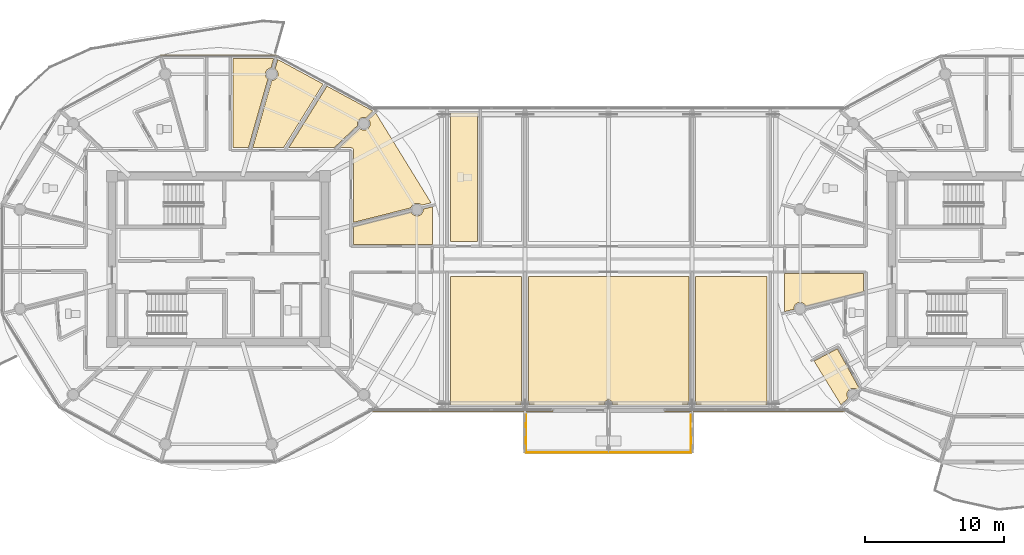
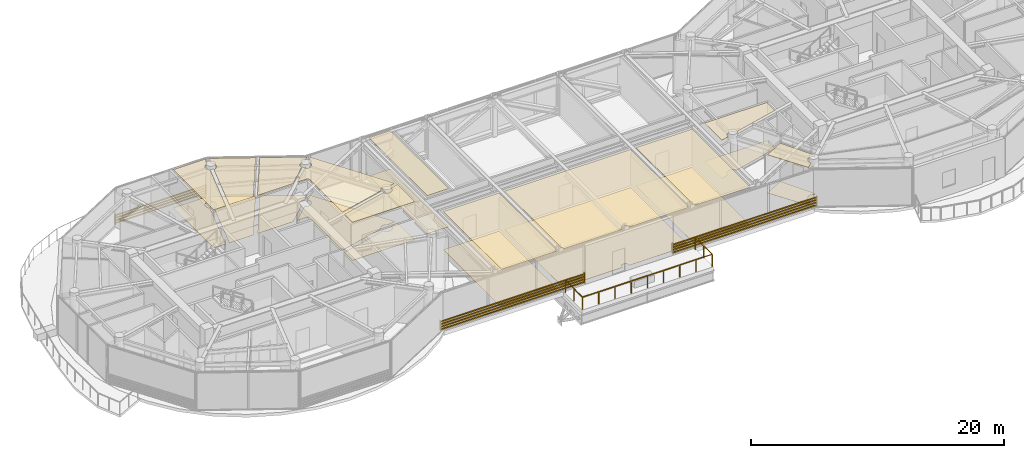
# One storey, part 25 of 31: 22 coverings, 3 shading devices, 2 railings.
"""IFC4 building model written with IfcOpenShell, lengths in metres."""

from ifc_helpers import new_model, si_unit, direction, frame, origin, origin_2d, place, context, subcontext, project, spatial, polyline, rectangle, outline, extrude, source, transform, mapped, material, layer, layer_set, type_object, type_shapes, element, save


model = new_model("IFC4")

# Units and contexts
model_context = context("Model", 3, precision=1e-05, world=origin(), true_north=direction((0.0, 1.0)))
body_context = subcontext(model_context, "Body", "Model", "MODEL_VIEW")
ifc_project = project(units=[si_unit("LENGTHUNIT", "METRE"), si_unit("AREAUNIT", "SQUARE_METRE"), si_unit("VOLUMEUNIT", "CUBIC_METRE"), si_unit("PLANEANGLEUNIT", "RADIAN"), si_unit("MASSUNIT", "GRAM", prefix="KILO")], contexts=[model_context])

# Site, building, storey
site_placement = place(None, origin())
site = spatial("IfcSite", under=ifc_project, at=site_placement, CompositionType="ELEMENT")
building_placement = place(site_placement, origin())
building = spatial("IfcBuilding", under=site, at=building_placement, Name="Norrkilde Senior Care Towers", CompositionType="ELEMENT")
storey_placement = place(building_placement, frame((0.0, 0.0, 199.800048828125)))
storey = spatial("IfcBuildingStorey", under=building, at=storey_placement, Name="L62", CompositionType="ELEMENT", Elevation=199.800048828125)

# Coverings
ifc_material_1 = material(Name="Nordic Ash Timber", Category="wood")
ifc_layer_1 = layer(ifc_material_1, 0.044921875)
ifc_layer_set_1 = layer_set([ifc_layer_1], Name="Nordic Ash Timber")
covering_type_1 = type_object("IfcCoveringType", Name="Acoustic Ash Timber Slatted Ceiling 45", PredefinedType="CEILING", material=ifc_layer_set_1)
covering_1_placement = place(storey_placement, frame((0.0, 0.0, 3.6650390625)))
element("IfcCovering", 1, at=covering_1_placement, inside=storey, type_object=covering_type_1, Name="L62 Suspended Ceiling 0377", PredefinedType="CEILING", context=body_context, shape_type="SweptSolid", body=[
    extrude(outline(polyline([(-24.03759765625, 14.407470703125), (-24.229736328125, 13.730224609375), (-24.30029296875, 13.720947265625), (-24.409912109375, 13.675537109375), (-24.504150390625, 13.603271484375), (-24.576416015625, 13.509033203125), (-24.621826171875, 13.399169921875), (-24.637451171875, 13.281494140625), (-24.621826171875, 13.163818359375), (-24.576416015625, 13.053955078125), (-24.504150390625, 12.959716796875), (-24.458251953125, 12.924560546875), (-25.855224609375, 8.0), (-26.9599609375, 8.0), (-26.9599609375, 14.407470703125), (-24.03759765625, 14.407470703125)])), origin(), (0.0, 0.0, 1.0), 0.044921875),
])
covering_2_placement = place(storey_placement, frame((0.0, 0.0, 3.6650390625)))
element("IfcCovering", 2, at=covering_2_placement, inside=storey, type_object=covering_type_1, Name="L62 Suspended Ceiling 0379", PredefinedType="CEILING", context=body_context, shape_type="SweptSolid", body=[
    extrude(outline(polyline([(-12.62646484375, 1.0400390625), (-18.300048828125, 1.0400390625), (-18.300048828125, 2.331298828125), (-14.165771484375, 3.377685546875), (-14.146728515625, 3.331298828125), (-14.07421875, 3.237060546875), (-13.97998046875, 3.164794921875), (-13.870361328125, 3.119384765625), (-13.752685546875, 3.103759765625), (-13.634765625, 3.119384765625), (-13.525146484375, 3.164794921875), (-13.430908203125, 3.237060546875), (-13.358642578125, 3.331298828125), (-13.31298828125, 3.44091796875), (-13.297607421875, 3.558837890625), (-13.302490234375, 3.59619140625), (-12.62646484375, 3.76708984375), (-12.62646484375, 1.0400390625)])), origin(), (0.0, 0.0, 1.0), 0.044921875),
])
covering_3_placement = place(storey_placement, frame((0.0, 0.0, 3.6650390625)))
element("IfcCovering", 3, at=covering_3_placement, inside=storey, type_object=covering_type_1, Name="L62 Suspended Ceiling 0380", PredefinedType="CEILING", context=body_context, shape_type="SweptSolid", body=[
    extrude(outline(polyline([(-18.302734375, 7.833251953125), (-18.30517578125, 7.8447265625), (-18.30712890625, 7.852294921875), (-18.310546875, 7.86376953125), (-18.31298828125, 7.87109375), (-18.317626953125, 7.8818359375), (-18.321044921875, 7.888916015625), (-18.326416015625, 7.8994140625), (-18.33056640625, 7.90625), (-18.337158203125, 7.916015625), (-18.341796875, 7.92236328125), (-18.34912109375, 7.931396484375), (-18.3544921875, 7.937255859375), (-18.36279296875, 7.945556640625), (-18.36865234375, 7.95068359375), (-18.377685546875, 7.958251953125), (-18.384033203125, 7.962890625), (-18.393798828125, 7.969482421875), (-18.400634765625, 7.973388671875), (-18.410888671875, 7.97900390625), (-18.41796875, 7.982421875), (-18.428955078125, 7.98681640625), (-18.436279296875, 7.989501953125), (-18.447509765625, 7.992919921875), (-18.455322265625, 7.994873046875), (-18.466796875, 7.9970703125), (-18.474609375, 7.998291015625), (-18.486328125, 7.99951171875), (-18.494140625, 7.999755859375), (-18.5, 8.0), (-19.355712890625, 8.0), (-17.88134765625, 9.392822265625), (-17.797607421875, 9.32861328125), (-17.68798828125, 9.283203125), (-17.570068359375, 9.267822265625), (-17.452392578125, 9.283203125), (-17.3427734375, 9.32861328125), (-17.24853515625, 9.40087890625), (-17.176025390625, 9.4951171875), (-17.130615234375, 9.60498046875), (-17.115234375, 9.72265625), (-17.130615234375, 9.840576171875), (-17.176025390625, 9.9501953125), (-17.224365234375, 10.01318359375), (-16.71337890625, 10.495849609375), (-12.74267578125, 4.04736328125), (-13.426025390625, 3.874267578125), (-13.430908203125, 3.880615234375), (-13.525146484375, 3.952880859375), (-13.634765625, 3.998291015625), (-13.752685546875, 4.013671875), (-13.870361328125, 3.998291015625), (-13.97998046875, 3.952880859375), (-14.07421875, 3.880615234375), (-14.146728515625, 3.786376953125), (-14.190185546875, 3.680908203125), (-18.300048828125, 2.640625), (-18.300048828125, 7.800048828125), (-18.300048828125, 7.805908203125), (-18.300537109375, 7.813720703125), (-18.3017578125, 7.825439453125), (-18.302734375, 7.833251953125)])), origin(), (0.0, 0.0, 1.0), 0.044921875),
])
covering_4_placement = place(storey_placement, frame((0.0, 0.0, 3.6650390625)))
element("IfcCovering", 4, at=covering_4_placement, inside=storey, type_object=covering_type_1, Name="L62 Suspended Ceiling 0395", PredefinedType="CEILING", context=body_context, shape_type="SweptSolid", body=[
    extrude(outline(polyline([(18.300048828125, -1.0400390625), (18.300048828125, -2.331298828125), (14.165771484375, -3.377685546875), (14.146728515625, -3.331298828125), (14.07421875, -3.237060546875), (13.97998046875, -3.164794921875), (13.870361328125, -3.119384765625), (13.752685546875, -3.103759765625), (13.634765625, -3.119384765625), (13.525146484375, -3.164794921875), (13.430908203125, -3.237060546875), (13.358642578125, -3.331298828125), (13.31298828125, -3.44091796875), (13.297607421875, -3.558837890625), (13.302490234375, -3.59619140625), (12.62646484375, -3.76708984375), (12.62646484375, -1.0400390625), (18.300048828125, -1.0400390625)])), origin(), (0.0, 0.0, 1.0), 0.044921875),
])
covering_5_placement = place(storey_placement, frame((0.0, 0.0, 3.6650390625)))
element("IfcCovering", 5, at=covering_5_placement, inside=storey, type_object=covering_type_1, Name="L62 Suspended Ceiling 0409", PredefinedType="CEILING", context=body_context, shape_type="SweptSolid", body=[
    extrude(outline(polyline([(17.86767578125, -9.38232421875), (17.797607421875, -9.32861328125), (17.68798828125, -9.283203125), (17.570068359375, -9.267822265625), (17.452392578125, -9.283203125), (17.3427734375, -9.32861328125), (17.24853515625, -9.40087890625), (17.176025390625, -9.4951171875), (17.130615234375, -9.60498046875), (17.115234375, -9.72265625), (17.130615234375, -9.840576171875), (17.176025390625, -9.9501953125), (17.202392578125, -9.984375), (16.68603515625, -10.45166015625), (14.753173828125, -7.3125), (16.42626953125, -6.435546875), (17.9921875, -9.26953125), (17.86767578125, -9.38232421875)])), origin(), (0.0, 0.0, 1.0), 0.044921875),
])
covering_6_placement = place(storey_placement, frame((0.0, 0.0, 3.6650390625)))
element("IfcCovering", 6, at=covering_6_placement, inside=storey, type_object=covering_type_1, Name="L62 Suspended Ceiling 0414", PredefinedType="CEILING", context=body_context, shape_type="SweptSolid", body=[
    extrude(outline(polyline([(-11.360107421875, -1.260009765625), (-6.239990234375, -1.260009765625), (-6.239990234375, -10.228271484375), (-6.257568359375, -10.251220703125), (-6.287353515625, -10.322998046875), (-6.297607421875, -10.39990234375), (-6.287353515625, -10.47705078125), (-6.2861328125, -10.47998046875), (-11.360107421875, -10.47998046875), (-11.360107421875, -1.260009765625)])), origin(), (0.0, 0.0, 1.0), 0.044921875),
])
covering_7_placement = place(storey_placement, frame((0.0, 0.0, 3.6650390625)))
element("IfcCovering", 7, at=covering_7_placement, inside=storey, type_object=covering_type_1, Name="L62 Suspended Ceiling 0419", PredefinedType="CEILING", context=body_context, shape_type="SweptSolid", body=[
    extrude(outline(polyline([(6.239990234375, -1.260009765625), (11.360107421875, -1.260009765625), (11.360107421875, -10.47998046875), (6.2861328125, -10.47998046875), (6.287353515625, -10.47705078125), (6.297607421875, -10.39990234375), (6.287353515625, -10.322998046875), (6.257568359375, -10.251220703125), (6.239990234375, -10.228271484375), (6.239990234375, -1.260009765625)])), origin(), (0.0, 0.0, 1.0), 0.044921875),
])
ifc_material_2 = material(Name="Gypsum Acoustic Board")
ifc_layer_2 = layer(ifc_material_2, 0.030029296875)
ifc_layer_set_2 = layer_set([ifc_layer_2], Name="Gypsum Acoustic Board")
covering_type_2 = type_object("IfcCoveringType", Name="Medical Cleanable Gypsum Ceiling 30", PredefinedType="CEILING", material=ifc_layer_set_2)
covering_8_placement = place(storey_placement, frame((0.0, 0.0, 3.679931640625)))
element("IfcCovering", 8, at=covering_8_placement, inside=storey, type_object=covering_type_2, Name="L62 Suspended Ceiling 0381", PredefinedType="CEILING", context=body_context, shape_type="SweptSolid", body=[
    extrude(outline(polyline([(-17.42724609375, 10.15185546875), (-17.452392578125, 10.162109375), (-17.570068359375, 10.177734375), (-17.68798828125, 10.162109375), (-17.797607421875, 10.11669921875), (-17.891845703125, 10.04443359375), (-17.964111328125, 9.9501953125), (-18.009765625, 9.840576171875), (-18.025146484375, 9.72265625), (-18.009765625, 9.60498046875), (-18.0087890625, 9.6025390625), (-19.705322265625, 8.0), (-22.959228515625, 8.0), (-20.212646484375, 12.4228515625), (-16.91357421875, 10.636962890625), (-17.42724609375, 10.15185546875)])), origin(), (0.0, 0.0, 1.0), 0.030029296875),
])
covering_9_placement = place(storey_placement, frame((0.0, 0.0, 3.679931640625)))
element("IfcCovering", 9, at=covering_9_placement, inside=storey, type_object=covering_type_2, Name="L62 Suspended Ceiling 0382", PredefinedType="CEILING", context=body_context, shape_type="SweptSolid", body=[
    extrude(outline(polyline([(-20.49462890625, 12.575439453125), (-23.3359375, 8.0), (-25.54345703125, 8.0), (-24.174072265625, 12.82763671875), (-24.064697265625, 12.842041015625), (-23.954833984375, 12.887451171875), (-23.860595703125, 12.959716796875), (-23.788330078125, 13.053955078125), (-23.742919921875, 13.163818359375), (-23.7275390625, 13.281494140625), (-23.742919921875, 13.399169921875), (-23.788330078125, 13.509033203125), (-23.860595703125, 13.603271484375), (-23.937255859375, 13.662109375), (-23.746337890625, 14.335693359375), (-20.49462890625, 12.575439453125)])), origin(), (0.0, 0.0, 1.0), 0.030029296875),
])
covering_10_placement = place(storey_placement, frame((0.0, 0.0, 3.679931640625)))
element("IfcCovering", 10, at=covering_10_placement, inside=storey, type_object=covering_type_2, Name="L62 Suspended Ceiling 0415", PredefinedType="CEILING", context=body_context, shape_type="SweptSolid", body=[
    extrude(outline(polyline([(-11.360107421875, 1.260009765625), (-11.360107421875, 10.47998046875), (-9.39990234375, 10.47998046875), (-9.39990234375, 1.260009765625), (-11.360107421875, 1.260009765625)])), origin(), (0.0, 0.0, 1.0), 0.030029296875),
])
covering_11_placement = place(storey_placement, frame((0.0, 0.0, 3.679931640625)))
element("IfcCovering", 11, at=covering_11_placement, inside=storey, type_object=covering_type_2, Name="L62 Suspended Ceiling 0417", PredefinedType="CEILING", context=body_context, shape_type="SweptSolid", body=[
    extrude(outline(polyline([(5.760009765625, -10.228271484375), (5.742431640625, -10.251220703125), (5.712646484375, -10.322998046875), (5.702392578125, -10.39990234375), (5.712646484375, -10.47705078125), (5.7138671875, -10.47998046875), (0.2861328125, -10.47998046875), (0.287353515625, -10.47705078125), (0.297607421875, -10.39990234375), (0.287353515625, -10.322998046875), (0.257568359375, -10.251220703125), (0.21044921875, -10.189697265625), (0.148681640625, -10.142333984375), (0.076904296875, -10.112548828125), (0.0, -10.1025390625), (-0.076904296875, -10.112548828125), (-0.148681640625, -10.142333984375), (-0.21044921875, -10.189697265625), (-0.257568359375, -10.251220703125), (-0.287353515625, -10.322998046875), (-0.297607421875, -10.39990234375), (-0.287353515625, -10.47705078125), (-0.2861328125, -10.47998046875), (-5.7138671875, -10.47998046875), (-5.712646484375, -10.47705078125), (-5.702392578125, -10.39990234375), (-5.712646484375, -10.322998046875), (-5.742431640625, -10.251220703125), (-5.760009765625, -10.228271484375), (-5.760009765625, -1.260009765625), (5.760009765625, -1.260009765625), (5.760009765625, -10.228271484375)])), origin(), (0.0, 0.0, 1.0), 0.030029296875),
])

# Railings
ifc_material_3 = material(Name="Stainless Steel", Category="steel")
railing_type = type_object("IfcRailingType", Name="Sky Pool Laminated Balustrade 1200", PredefinedType="BALUSTRADE", material=ifc_material_3)
railing_1_placement = place(storey_placement, frame((-5.919921875, -13.8701171875, 0.0)))
element("IfcRailing", 12, at=railing_1_placement, inside=storey, type_object=railing_type, Name="L62 Perimeter Safety Guard 03", PredefinedType="BALUSTRADE", context=body_context, shape_type="SweptSolid", body=[
    extrude(rectangle(XDim=0.048095703125, YDim=0.048095703125, at=origin_2d()), frame((0.0, 0.0, 1.17578125), z_axis=(0.0, 1.0, 0.0), x_axis=(-1.0, 0.0, 0.0)), (0.0, 0.0, 1.0), 2.690185546875),
    extrude(rectangle(XDim=0.0419921875, YDim=0.0419921875, at=origin_2d()), origin(), (0.0, 0.0, 1.0), 1.14990234375),
    extrude(rectangle(XDim=0.0419921875, YDim=0.0419921875, at=origin_2d()), frame((0.0, 1.34521484375, 0.0)), (0.0, 0.0, 1.0), 1.14990234375),
    extrude(rectangle(XDim=0.0419921875, YDim=0.0419921875, at=origin_2d()), frame((0.0, 2.690185546875, 0.0)), (0.0, 0.0, 1.0), 1.14990234375),
])
railing_2_placement = place(storey_placement, frame((5.919921875, -11.179931640625, 0.0)))
element("IfcRailing", 13, at=railing_2_placement, inside=storey, type_object=railing_type, Name="L62 Perimeter Safety Guard 04", PredefinedType="BALUSTRADE", context=body_context, shape_type="SweptSolid", body=[
    extrude(rectangle(XDim=0.048095703125, YDim=0.048095703125, at=origin_2d()), frame((0.0, 0.0, 1.17578125), z_axis=(0.0, -1.0, 0.0), x_axis=(1.0, 0.0, 0.0)), (0.0, 0.0, 1.0), 2.6494140625),
    extrude(rectangle(XDim=0.048095703125, YDim=0.048095703125, at=origin_2d()), frame((-0.040771484375, -2.690185546875, 1.17578125), z_axis=(-1.0, 0.0, 0.0), x_axis=(0.0, -1.0, 0.0)), (0.0, 0.0, 1.0), 11.799072265625),
    extrude(rectangle(XDim=0.0419921875, YDim=0.0419921875, at=origin_2d()), origin(), (0.0, 0.0, 1.0), 1.14990234375),
    extrude(rectangle(XDim=0.0419921875, YDim=0.0419921875, at=origin_2d()), frame((0.0, -1.34521484375, 0.0)), (0.0, 0.0, 1.0), 1.14990234375),
    extrude(rectangle(XDim=0.0419921875, YDim=0.0419921875, at=origin_2d()), frame((0.0, -2.690185546875, 0.0)), (0.0, 0.0, 1.0), 1.14990234375),
    extrude(rectangle(XDim=0.0419921875, YDim=0.0419921875, at=origin_2d()), frame((-1.47998046875, -2.690185546875, 0.0)), (0.0, 0.0, 1.0), 1.14990234375),
    extrude(rectangle(XDim=0.0419921875, YDim=0.0419921875, at=origin_2d()), frame((-2.9599609375, -2.690185546875, 0.0)), (0.0, 0.0, 1.0), 1.14990234375),
    extrude(rectangle(XDim=0.0419921875, YDim=0.0419921875, at=origin_2d()), frame((-4.43994140625, -2.690185546875, 0.0)), (0.0, 0.0, 1.0), 1.14990234375),
    extrude(rectangle(XDim=0.0419921875, YDim=0.0419921875, at=origin_2d()), frame((-5.919921875, -2.690185546875, 0.0)), (0.0, 0.0, 1.0), 1.14990234375),
    extrude(rectangle(XDim=0.0419921875, YDim=0.0419921875, at=origin_2d()), frame((-7.39990234375, -2.690185546875, 0.0)), (0.0, 0.0, 1.0), 1.14990234375),
    extrude(rectangle(XDim=0.0419921875, YDim=0.0419921875, at=origin_2d()), frame((-8.8798828125, -2.690185546875, 0.0)), (0.0, 0.0, 1.0), 1.14990234375),
    extrude(rectangle(XDim=0.0419921875, YDim=0.0419921875, at=origin_2d()), frame((-10.35986328125, -2.690185546875, 0.0)), (0.0, 0.0, 1.0), 1.14990234375),
    extrude(rectangle(XDim=0.0419921875, YDim=0.0419921875, at=origin_2d()), frame((-11.83984375, -2.690185546875, 0.0)), (0.0, 0.0, 1.0), 1.14990234375),
])

# Coverings
ifc_material_4 = material(Name="Slip-Resistant Porcelain Stone", Category="masonry")
ifc_layer_3 = layer(ifc_material_4, 0.02490234375)
ifc_layer_set_3 = layer_set([ifc_layer_3], Name="Slip-Resistant Porcelain Stone")
covering_type_3 = type_object("IfcCoveringType", Name="Slip-Resistant Porcelain Flooring 25", PredefinedType="FLOORING", material=ifc_layer_set_3)
covering_12_placement = place(storey_placement, origin())
element("IfcCovering", 14, at=covering_12_placement, inside=storey, type_object=covering_type_3, Name="L62 Floor Finish 0377", PredefinedType="FLOORING", context=body_context, shape_type="SweptSolid", body=[
    extrude(outline(polyline([(-24.03759765625, 14.407470703125), (-24.229736328125, 13.730224609375), (-24.30029296875, 13.720947265625), (-24.409912109375, 13.675537109375), (-24.504150390625, 13.603271484375), (-24.576416015625, 13.509033203125), (-24.621826171875, 13.399169921875), (-24.637451171875, 13.281494140625), (-24.621826171875, 13.163818359375), (-24.576416015625, 13.053955078125), (-24.504150390625, 12.959716796875), (-24.458251953125, 12.924560546875), (-25.855224609375, 8.0), (-26.9599609375, 8.0), (-26.9599609375, 14.407470703125), (-24.03759765625, 14.407470703125)])), origin(), (0.0, 0.0, 1.0), 0.02490234375),
])
covering_13_placement = place(storey_placement, origin())
element("IfcCovering", 15, at=covering_13_placement, inside=storey, type_object=covering_type_3, Name="L62 Floor Finish 0379", PredefinedType="FLOORING", context=body_context, shape_type="SweptSolid", body=[
    extrude(outline(polyline([(-12.62646484375, 1.0400390625), (-18.300048828125, 1.0400390625), (-18.300048828125, 2.331298828125), (-14.165771484375, 3.377685546875), (-14.146728515625, 3.331298828125), (-14.07421875, 3.237060546875), (-13.97998046875, 3.164794921875), (-13.870361328125, 3.119384765625), (-13.752685546875, 3.103759765625), (-13.634765625, 3.119384765625), (-13.525146484375, 3.164794921875), (-13.430908203125, 3.237060546875), (-13.358642578125, 3.331298828125), (-13.31298828125, 3.44091796875), (-13.297607421875, 3.558837890625), (-13.302490234375, 3.59619140625), (-12.62646484375, 3.76708984375), (-12.62646484375, 1.0400390625)])), origin(), (0.0, 0.0, 1.0), 0.02490234375),
])
covering_14_placement = place(storey_placement, origin())
element("IfcCovering", 16, at=covering_14_placement, inside=storey, type_object=covering_type_3, Name="L62 Floor Finish 0380", PredefinedType="FLOORING", context=body_context, shape_type="SweptSolid", body=[
    extrude(outline(polyline([(-18.302734375, 7.833251953125), (-18.30517578125, 7.8447265625), (-18.30712890625, 7.852294921875), (-18.310546875, 7.86376953125), (-18.31298828125, 7.87109375), (-18.317626953125, 7.8818359375), (-18.321044921875, 7.888916015625), (-18.326416015625, 7.8994140625), (-18.33056640625, 7.90625), (-18.337158203125, 7.916015625), (-18.341796875, 7.92236328125), (-18.34912109375, 7.931396484375), (-18.3544921875, 7.937255859375), (-18.36279296875, 7.945556640625), (-18.36865234375, 7.95068359375), (-18.377685546875, 7.958251953125), (-18.384033203125, 7.962890625), (-18.393798828125, 7.969482421875), (-18.400634765625, 7.973388671875), (-18.410888671875, 7.97900390625), (-18.41796875, 7.982421875), (-18.428955078125, 7.98681640625), (-18.436279296875, 7.989501953125), (-18.447509765625, 7.992919921875), (-18.455322265625, 7.994873046875), (-18.466796875, 7.9970703125), (-18.474609375, 7.998291015625), (-18.486328125, 7.99951171875), (-18.494140625, 7.999755859375), (-18.5, 8.0), (-19.355712890625, 8.0), (-17.88134765625, 9.392822265625), (-17.797607421875, 9.32861328125), (-17.68798828125, 9.283203125), (-17.570068359375, 9.267822265625), (-17.452392578125, 9.283203125), (-17.3427734375, 9.32861328125), (-17.24853515625, 9.40087890625), (-17.176025390625, 9.4951171875), (-17.130615234375, 9.60498046875), (-17.115234375, 9.72265625), (-17.130615234375, 9.840576171875), (-17.176025390625, 9.9501953125), (-17.224365234375, 10.01318359375), (-16.71337890625, 10.495849609375), (-12.74267578125, 4.04736328125), (-13.426025390625, 3.874267578125), (-13.430908203125, 3.880615234375), (-13.525146484375, 3.952880859375), (-13.634765625, 3.998291015625), (-13.752685546875, 4.013671875), (-13.870361328125, 3.998291015625), (-13.97998046875, 3.952880859375), (-14.07421875, 3.880615234375), (-14.146728515625, 3.786376953125), (-14.190185546875, 3.680908203125), (-18.300048828125, 2.640625), (-18.300048828125, 7.800048828125), (-18.300048828125, 7.805908203125), (-18.300537109375, 7.813720703125), (-18.3017578125, 7.825439453125), (-18.302734375, 7.833251953125)])), origin(), (0.0, 0.0, 1.0), 0.02490234375),
])
covering_15_placement = place(storey_placement, origin())
element("IfcCovering", 17, at=covering_15_placement, inside=storey, type_object=covering_type_3, Name="L62 Floor Finish 0381", PredefinedType="FLOORING", context=body_context, shape_type="SweptSolid", body=[
    extrude(outline(polyline([(-17.42724609375, 10.15185546875), (-17.452392578125, 10.162109375), (-17.570068359375, 10.177734375), (-17.68798828125, 10.162109375), (-17.797607421875, 10.11669921875), (-17.891845703125, 10.04443359375), (-17.964111328125, 9.9501953125), (-18.009765625, 9.840576171875), (-18.025146484375, 9.72265625), (-18.009765625, 9.60498046875), (-18.0087890625, 9.6025390625), (-19.705322265625, 8.0), (-22.959228515625, 8.0), (-20.212646484375, 12.4228515625), (-16.91357421875, 10.636962890625), (-17.42724609375, 10.15185546875)])), origin(), (0.0, 0.0, 1.0), 0.02490234375),
])
covering_16_placement = place(storey_placement, origin())
element("IfcCovering", 18, at=covering_16_placement, inside=storey, type_object=covering_type_3, Name="L62 Floor Finish 0382", PredefinedType="FLOORING", context=body_context, shape_type="SweptSolid", body=[
    extrude(outline(polyline([(-20.49462890625, 12.575439453125), (-23.3359375, 8.0), (-25.54345703125, 8.0), (-24.174072265625, 12.82763671875), (-24.064697265625, 12.842041015625), (-23.954833984375, 12.887451171875), (-23.860595703125, 12.959716796875), (-23.788330078125, 13.053955078125), (-23.742919921875, 13.163818359375), (-23.7275390625, 13.281494140625), (-23.742919921875, 13.399169921875), (-23.788330078125, 13.509033203125), (-23.860595703125, 13.603271484375), (-23.937255859375, 13.662109375), (-23.746337890625, 14.335693359375), (-20.49462890625, 12.575439453125)])), origin(), (0.0, 0.0, 1.0), 0.02490234375),
])
covering_17_placement = place(storey_placement, origin())
element("IfcCovering", 19, at=covering_17_placement, inside=storey, type_object=covering_type_3, Name="L62 Floor Finish 0395", PredefinedType="FLOORING", context=body_context, shape_type="SweptSolid", body=[
    extrude(outline(polyline([(18.300048828125, -1.0400390625), (18.300048828125, -2.331298828125), (14.165771484375, -3.377685546875), (14.146728515625, -3.331298828125), (14.07421875, -3.237060546875), (13.97998046875, -3.164794921875), (13.870361328125, -3.119384765625), (13.752685546875, -3.103759765625), (13.634765625, -3.119384765625), (13.525146484375, -3.164794921875), (13.430908203125, -3.237060546875), (13.358642578125, -3.331298828125), (13.31298828125, -3.44091796875), (13.297607421875, -3.558837890625), (13.302490234375, -3.59619140625), (12.62646484375, -3.76708984375), (12.62646484375, -1.0400390625), (18.300048828125, -1.0400390625)])), origin(), (0.0, 0.0, 1.0), 0.02490234375),
])
covering_18_placement = place(storey_placement, origin())
element("IfcCovering", 20, at=covering_18_placement, inside=storey, type_object=covering_type_3, Name="L62 Floor Finish 0409", PredefinedType="FLOORING", context=body_context, shape_type="SweptSolid", body=[
    extrude(outline(polyline([(17.86767578125, -9.38232421875), (17.797607421875, -9.32861328125), (17.68798828125, -9.283203125), (17.570068359375, -9.267822265625), (17.452392578125, -9.283203125), (17.3427734375, -9.32861328125), (17.24853515625, -9.40087890625), (17.176025390625, -9.4951171875), (17.130615234375, -9.60498046875), (17.115234375, -9.72265625), (17.130615234375, -9.840576171875), (17.176025390625, -9.9501953125), (17.202392578125, -9.984375), (16.68603515625, -10.45166015625), (14.753173828125, -7.3125), (16.42626953125, -6.435546875), (17.9921875, -9.26953125), (17.86767578125, -9.38232421875)])), origin(), (0.0, 0.0, 1.0), 0.02490234375),
])
covering_19_placement = place(storey_placement, origin())
element("IfcCovering", 21, at=covering_19_placement, inside=storey, type_object=covering_type_3, Name="L62 Floor Finish 0414", PredefinedType="FLOORING", context=body_context, shape_type="SweptSolid", body=[
    extrude(outline(polyline([(-11.360107421875, -1.260009765625), (-6.239990234375, -1.260009765625), (-6.239990234375, -10.228271484375), (-6.257568359375, -10.251220703125), (-6.287353515625, -10.322998046875), (-6.297607421875, -10.39990234375), (-6.287353515625, -10.47705078125), (-6.2861328125, -10.47998046875), (-11.360107421875, -10.47998046875), (-11.360107421875, -1.260009765625)])), origin(), (0.0, 0.0, 1.0), 0.02490234375),
])
covering_20_placement = place(storey_placement, origin())
element("IfcCovering", 22, at=covering_20_placement, inside=storey, type_object=covering_type_3, Name="L62 Floor Finish 0415", PredefinedType="FLOORING", context=body_context, shape_type="SweptSolid", body=[
    extrude(outline(polyline([(-11.360107421875, 1.260009765625), (-11.360107421875, 10.47998046875), (-9.39990234375, 10.47998046875), (-9.39990234375, 1.260009765625), (-11.360107421875, 1.260009765625)])), origin(), (0.0, 0.0, 1.0), 0.02490234375),
])
covering_21_placement = place(storey_placement, origin())
element("IfcCovering", 23, at=covering_21_placement, inside=storey, type_object=covering_type_3, Name="L62 Floor Finish 0417", PredefinedType="FLOORING", context=body_context, shape_type="SweptSolid", body=[
    extrude(outline(polyline([(5.760009765625, -10.228271484375), (5.742431640625, -10.251220703125), (5.712646484375, -10.322998046875), (5.702392578125, -10.39990234375), (5.712646484375, -10.47705078125), (5.7138671875, -10.47998046875), (0.2861328125, -10.47998046875), (0.287353515625, -10.47705078125), (0.297607421875, -10.39990234375), (0.287353515625, -10.322998046875), (0.257568359375, -10.251220703125), (0.21044921875, -10.189697265625), (0.148681640625, -10.142333984375), (0.076904296875, -10.112548828125), (0.0, -10.1025390625), (-0.076904296875, -10.112548828125), (-0.148681640625, -10.142333984375), (-0.21044921875, -10.189697265625), (-0.257568359375, -10.251220703125), (-0.287353515625, -10.322998046875), (-0.297607421875, -10.39990234375), (-0.287353515625, -10.47705078125), (-0.2861328125, -10.47998046875), (-5.7138671875, -10.47998046875), (-5.712646484375, -10.47705078125), (-5.702392578125, -10.39990234375), (-5.712646484375, -10.322998046875), (-5.742431640625, -10.251220703125), (-5.760009765625, -10.228271484375), (-5.760009765625, -1.260009765625), (5.760009765625, -1.260009765625), (5.760009765625, -10.228271484375)])), origin(), (0.0, 0.0, 1.0), 0.02490234375),
])
covering_22_placement = place(storey_placement, origin())
element("IfcCovering", 24, at=covering_22_placement, inside=storey, type_object=covering_type_3, Name="L62 Floor Finish 0419", PredefinedType="FLOORING", context=body_context, shape_type="SweptSolid", body=[
    extrude(outline(polyline([(6.239990234375, -1.260009765625), (11.360107421875, -1.260009765625), (11.360107421875, -10.47998046875), (6.2861328125, -10.47998046875), (6.287353515625, -10.47705078125), (6.297607421875, -10.39990234375), (6.287353515625, -10.322998046875), (6.257568359375, -10.251220703125), (6.239990234375, -10.228271484375), (6.239990234375, -1.260009765625)])), origin(), (0.0, 0.0, 1.0), 0.02490234375),
])

# Shading devices
ifc_material_5 = material(Name="Architectural Terracotta", Category="masonry")
shading_device_type = type_object("IfcShadingDeviceType", Name="Horizontal Terracotta Baguette Rack", PredefinedType="USERDEFINED", material=ifc_material_5)
shared_shape_1 = source(origin(), body_context, "Body", "SweptSolid", [
    extrude(rectangle(XDim=0.070068359375, YDim=0.110107421875, at=origin_2d()), frame((0.0, 0.090087890625, 0.125), z_axis=(1.0, 0.0, 0.0), x_axis=(0.0, 1.0, 0.0)), (0.0, 0.0, 1.0), 8.32373046875),
    extrude(rectangle(XDim=0.070068359375, YDim=0.110107421875, at=origin_2d()), frame((0.0, 0.090087890625, 0.375), z_axis=(1.0, 0.0, 0.0), x_axis=(0.0, 1.0, 0.0)), (0.0, 0.0, 1.0), 8.32373046875),
    extrude(rectangle(XDim=0.070068359375, YDim=0.110107421875, at=origin_2d()), frame((0.0, 0.090087890625, 0.625), z_axis=(1.0, 0.0, 0.0), x_axis=(0.0, 1.0, 0.0)), (0.0, 0.0, 1.0), 8.32373046875),
    extrude(rectangle(XDim=0.070068359375, YDim=0.110107421875, at=origin_2d()), frame((0.0, 0.090087890625, 0.875), z_axis=(1.0, 0.0, 0.0), x_axis=(0.0, 1.0, 0.0)), (0.0, 0.0, 1.0), 8.32373046875),
    extrude(rectangle(XDim=0.050048828125, YDim=0.1552734375, at=origin_2d()), frame((0.02490234375, 0.047607421875, 0.0)), (0.0, 0.0, 1.0), 1.0),
    extrude(rectangle(XDim=0.050048828125, YDim=0.1552734375, at=origin_2d()), frame((8.298828125, 0.047607421875, 0.0)), (0.0, 0.0, 1.0), 1.0),
])
shading_device_placement = place(storey_placement, frame((-32.161865234375, 14.566162109375, 0.079833984375), z_axis=(0.0, 0.0, 1.0), x_axis=(1.0, 0.0, 0.0)))
element("IfcShadingDevice", 25, at=shading_device_placement, inside=storey, type_object=shading_device_type, Name="L62 Drum W Terracotta Baguette Screen 02", ObjectType="BAGUETTE", PredefinedType="USERDEFINED", context=body_context, shape_type="MappedRepresentation", body=[
    mapped(shared_shape_1, transform((0.0, 0.0, 0.0), x_axis=(1.0, 0.0, 0.0), y_axis=(0.0, 1.0, 0.0), z_axis=(0.0, 0.0, 1.0), scale=1.0)),
])
shared_shape_2 = source(origin(), body_context, "Body", "SweptSolid", [
    extrude(rectangle(XDim=0.070068359375, YDim=0.110107421875, at=origin_2d()), frame((0.0, 0.090087890625, 0.125), z_axis=(1.0, 0.0, 0.0), x_axis=(0.0, 1.0, 0.0)), (0.0, 0.0, 1.0), 13.199951171875),
    extrude(rectangle(XDim=0.070068359375, YDim=0.110107421875, at=origin_2d()), frame((0.0, 0.090087890625, 0.375), z_axis=(1.0, 0.0, 0.0), x_axis=(0.0, 1.0, 0.0)), (0.0, 0.0, 1.0), 13.199951171875),
    extrude(rectangle(XDim=0.070068359375, YDim=0.110107421875, at=origin_2d()), frame((0.0, 0.090087890625, 0.625), z_axis=(1.0, 0.0, 0.0), x_axis=(0.0, 1.0, 0.0)), (0.0, 0.0, 1.0), 13.199951171875),
    extrude(rectangle(XDim=0.070068359375, YDim=0.110107421875, at=origin_2d()), frame((0.0, 0.090087890625, 0.875), z_axis=(1.0, 0.0, 0.0), x_axis=(0.0, 1.0, 0.0)), (0.0, 0.0, 1.0), 13.199951171875),
    extrude(rectangle(XDim=0.050048828125, YDim=0.1552734375, at=origin_2d()), frame((0.02490234375, 0.047607421875, 0.0)), (0.0, 0.0, 1.0), 1.0),
    extrude(rectangle(XDim=0.050048828125, YDim=0.1552734375, at=origin_2d()), frame((13.1748046875, 0.047607421875, 0.0)), (0.0, 0.0, 1.0), 1.0),
])
type_shapes(shading_device_type, [shared_shape_1, shared_shape_2])
for number, where, z_axis, x_axis, name in (
    (26, (17.199951171875, -10.820068359375, 0.079833984375), (0.0, 0.0, 1.0), (-1.0, 0.0, 0.0), "L62 Bridge South Baguette Screen 1"),
    (27, (-4.0, -10.820068359375, 0.079833984375), (0.0, 0.0, 1.0), (-1.0, 0.0, 0.0), "L62 Bridge South Baguette Screen 3"),
):
    element("IfcShadingDevice", number, at=place(storey_placement, frame(where, z_axis=z_axis, x_axis=x_axis)), inside=storey, type_object=shading_device_type, Name=name, ObjectType="BAGUETTE", PredefinedType="USERDEFINED", context=body_context, shape_type="MappedRepresentation", body=[
        mapped(shared_shape_2, transform((0.0, 0.0, 0.0), x_axis=(1.0, 0.0, 0.0), y_axis=(0.0, 1.0, 0.0), z_axis=(0.0, 0.0, 1.0), scale=1.0)),
    ])

save(model, "model.ifc")
